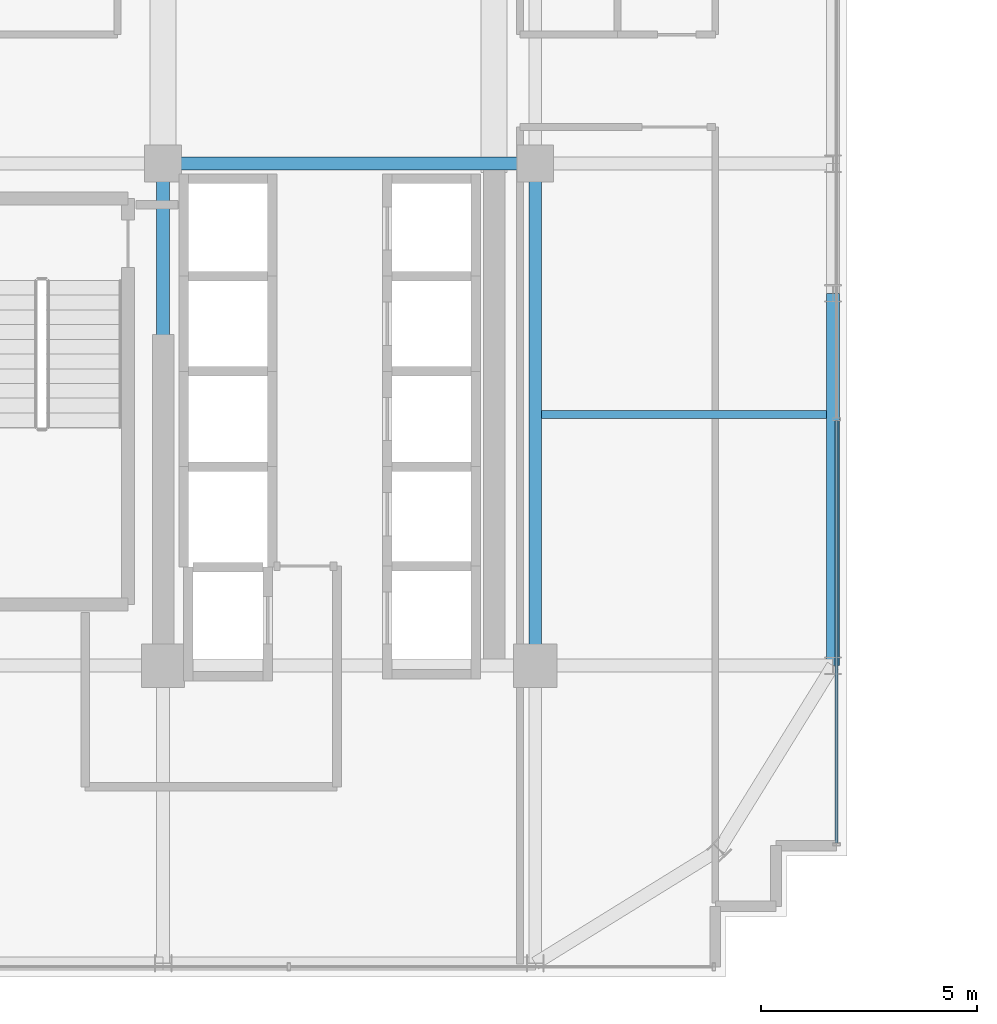
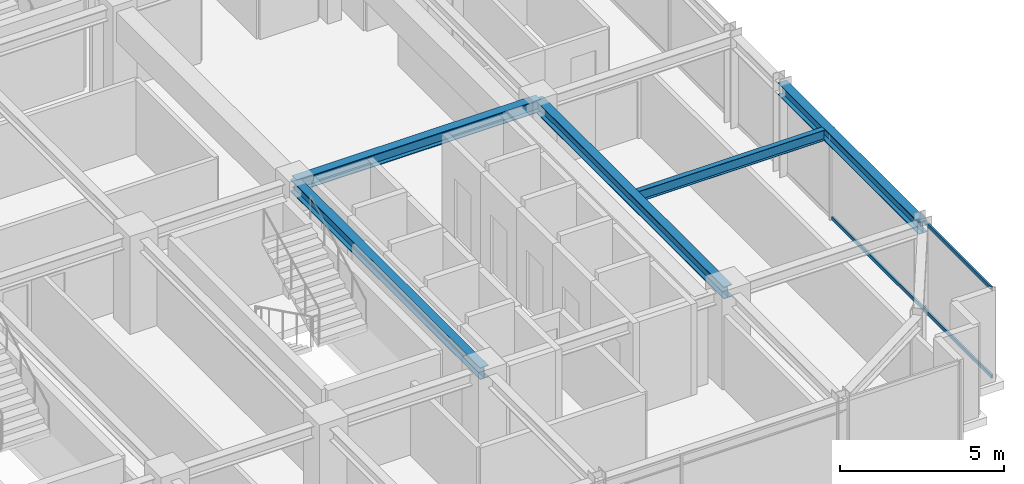
# One storey, part 14 of 34: 5 beams, 2 members, 1 element without a shape of its own.
"""IFC4 building model written with IfcOpenShell, lengths in metres."""

from ifc_helpers import new_model, si_unit, direction, frame, origin, origin_2d, place, context, subcontext, project, spatial, hollow_rectangle, i_section, extrude, source, transform, mapped, material, material_profile, profile_set, type_object, element, aggregate, save


model = new_model("IFC4")

# Units and contexts
model_context = context("Model", 3, precision=1e-05, world=origin(), true_north=direction((0.0, 1.0)))
body_context = subcontext(model_context, "Body", "Model", "MODEL_VIEW")
ifc_project = project(units=[si_unit("LENGTHUNIT", "METRE"), si_unit("AREAUNIT", "SQUARE_METRE"), si_unit("VOLUMEUNIT", "CUBIC_METRE"), si_unit("PLANEANGLEUNIT", "RADIAN"), si_unit("MASSUNIT", "GRAM", prefix="KILO")], contexts=[model_context])

# Site, building, storey
site_placement = place(None, origin())
site = spatial("IfcSite", under=ifc_project, at=site_placement, CompositionType="ELEMENT")
building_placement = place(site_placement, origin())
building = spatial("IfcBuilding", under=site, at=building_placement, Name="Nahalor Promenade Grand Hotel", CompositionType="ELEMENT")
storey_placement = place(building_placement, frame((0.0, 0.0, 238.199951171875)))
storey = spatial("IfcBuildingStorey", under=building, at=storey_placement, Name="L61", CompositionType="ELEMENT", Elevation=238.199951171875)

# Beams
ifc_material_1 = material(Name="Steel S355JR", Category="steel")
ifc_material_profile_1 = material_profile(ifc_material_1, i_section(OverallWidth=0.3, OverallDepth=0.45, WebThickness=0.014, FlangeThickness=0.026, at=origin_2d()), Name="HEB 450")
ifc_profile_set_1 = profile_set([ifc_material_profile_1], Name="Steel S355JR")
beam_type_1 = type_object("IfcBeamType", Name="Beam-Spandrel-HEB450", PredefinedType="SPANDREL", material=ifc_profile_set_1)
shared_shape_1 = source(origin(), body_context, "Body", "SweptSolid", [
    extrude(i_section(OverallWidth=0.3, OverallDepth=0.45, WebThickness=0.014, FlangeThickness=0.026, at=origin_2d()), origin(), (0.0, 0.0, 1.0), 8.60009765625),
])
beam_1_placement = place(storey_placement, frame((23.8798828125, -17.0, 3.18505859375), z_axis=(0.0, 1.0, 0.0), x_axis=(-1.0, 0.0, 0.0)))
element("IfcBeam", 1, at=beam_1_placement, inside=storey, type_object=beam_type_1, Name="BM-L61-SP-E-0", PredefinedType="SPANDREL", context=body_context, shape_type="MappedRepresentation", body=[
    mapped(shared_shape_1, transform((0.0, 0.0, 0.0), scale=1.0)),
])
ifc_material_profile_2 = material_profile(ifc_material_1, i_section(OverallWidth=0.3, OverallDepth=0.45, WebThickness=0.014, FlangeThickness=0.026, at=origin_2d()), Name="HEB 450")
ifc_profile_set_2 = profile_set([ifc_material_profile_2], Name="Steel S355JR")
beam_type_2 = type_object("IfcBeamType", Name="Beam-Girder-HEB450", PredefinedType="BEAM", material=ifc_profile_set_2)
shared_shape_2 = source(origin(), body_context, "Body", "SweptSolid", [
    extrude(i_section(OverallWidth=0.3, OverallDepth=0.45, WebThickness=0.014, FlangeThickness=0.026, at=origin_2d()), origin(), (0.0, 0.0, 1.0), 8.60009765625),
])
beam_2_placement = place(storey_placement, frame((8.39990234375, -5.39990234375, 3.18505859375), z_axis=(1.0, 0.0, 0.0), x_axis=(0.0, 1.0, 0.0)))
element("IfcBeam", 2, at=beam_2_placement, inside=storey, type_object=beam_type_2, Name="BM-L61-GX-1-5", PredefinedType="BEAM", context=body_context, shape_type="MappedRepresentation", body=[
    mapped(shared_shape_2, transform((0.0, 0.0, 0.0), scale=1.0)),
])
shared_shape_3 = source(origin(), body_context, "Body", "SweptSolid", [
    extrude(i_section(OverallWidth=0.3, OverallDepth=0.45, WebThickness=0.014, FlangeThickness=0.026, at=origin_2d()), origin(), (0.0, 0.0, 1.0), 11.60009765625),
])
for number, where, z_axis, x_axis, name in (
    (3, (8.39990234375, -17.0, 3.18505859375), (0.0, 1.0, 0.0), (-1.0, 0.0, 0.0), "BM-L61-GY-4-1"),
    (4, (17.0, -17.0, 3.18505859375), (0.0, 1.0, 0.0), (-1.0, 0.0, 0.0), "BM-L61-GY-5-1"),
):
    element("IfcBeam", number, at=place(storey_placement, frame(where, z_axis=z_axis, x_axis=x_axis)), inside=storey, type_object=beam_type_2, Name=name, PredefinedType="BEAM", context=body_context, shape_type="MappedRepresentation", body=[
        mapped(shared_shape_3, transform((0.0, 0.0, 0.0), scale=1.0)),
    ])
ifc_material_profile_3 = material_profile(ifc_material_1, i_section(OverallWidth=0.18, OverallDepth=0.4, WebThickness=0.0086, FlangeThickness=0.0135, at=origin_2d()), Name="IPE 400")
ifc_profile_set_3 = profile_set([ifc_material_profile_3], Name="Steel S355JR")
beam_type_3 = type_object("IfcBeamType", Name="Beam-Joist-IPE400", PredefinedType="JOIST", material=ifc_profile_set_3)
shared_shape_4 = source(origin(), body_context, "Body", "SweptSolid", [
    extrude(i_section(OverallWidth=0.18, OverallDepth=0.4, WebThickness=0.0086, FlangeThickness=0.0135, at=origin_2d()), origin(), (0.0, 0.0, 1.0), 6.580078125),
])
beam_3_placement = place(storey_placement, frame((17.14990234375, -11.199951171875, 3.2099609375), z_axis=(1.0, 0.0, 0.0), x_axis=(0.0, 1.0, 0.0)))
element("IfcBeam", 5, at=beam_3_placement, inside=storey, type_object=beam_type_3, Name="BM-L61-JSE-0-2", PredefinedType="JOIST", context=body_context, shape_type="MappedRepresentation", body=[
    mapped(shared_shape_4, transform((0.0, 0.0, 0.0), scale=1.0)),
])

# Curtain wall, members
ifc_material_2 = material(Name="Anodised Bronze Aluminium EN AW-6063 T6", Category="aluminium")
curtain_wall_type = type_object("IfcCurtainWallType", Name="CW2 Typical Hotel Flush Bronze Unitised Curtain Wall", PredefinedType="USERDEFINED", material=ifc_material_2)
curtain_wall_placement = place(storey_placement, origin())
curtain_wall = element("IfcCurtainWall", 6, at=curtain_wall_placement, inside=storey, type_object=curtain_wall_type, Name="L61 Curtain Wall CW-L61-E-1", ObjectType="UNITISED_CURTAIN_WALL", PredefinedType="USERDEFINED")
ifc_material_profile_4 = material_profile(ifc_material_2, hollow_rectangle(XDim=0.065, YDim=0.13, WallThickness=0.004, at=origin_2d()), Name="CWT 65x130x4")
ifc_profile_set_4 = profile_set([ifc_material_profile_4], Name="Anodised Bronze Aluminium EN AW-6063 T6")
member_type = type_object("IfcMemberType", Name="CWT2 Typical Bronze Transom 65x130", PredefinedType="USERDEFINED", material=ifc_profile_set_4)
shared_shape_5 = source(origin(), body_context, "Body", "SweptSolid", [
    extrude(hollow_rectangle(XDim=0.065, YDim=0.13, WallThickness=0.004, at=origin_2d()), origin(), (0.0, 0.0, 1.0), 9.755859375),
])
member_1_placement = place(storey_placement, frame((23.9599609375, -21.094970703125, 0.06494140625), z_axis=(0.0, 1.0, 0.0), x_axis=(-1.0, 0.0, 0.0)))
member_1 = element("IfcMember", 7, at=member_1_placement, type_object=member_type, Name="CW-L61-E-1 Transom 0-0", ObjectType="TRANSOM", PredefinedType="USERDEFINED", context=body_context, shape_type="MappedRepresentation", body=[
    mapped(shared_shape_5, transform((0.0, 0.0, 0.0), scale=1.0)),
])
member_2_placement = place(storey_placement, frame((23.9599609375, -21.094970703125, 3.344970703125), z_axis=(0.0, 1.0, 0.0), x_axis=(-1.0, 0.0, 0.0)))
member_2 = element("IfcMember", 8, at=member_2_placement, type_object=member_type, Name="CW-L61-E-1 Transom 0-1", ObjectType="TRANSOM", PredefinedType="USERDEFINED", context=body_context, shape_type="MappedRepresentation", body=[
    mapped(shared_shape_5, transform((0.0, 0.0, 0.0), scale=1.0)),
])
aggregate(curtain_wall, [member_1, member_2])

save(model, "model.ifc")
